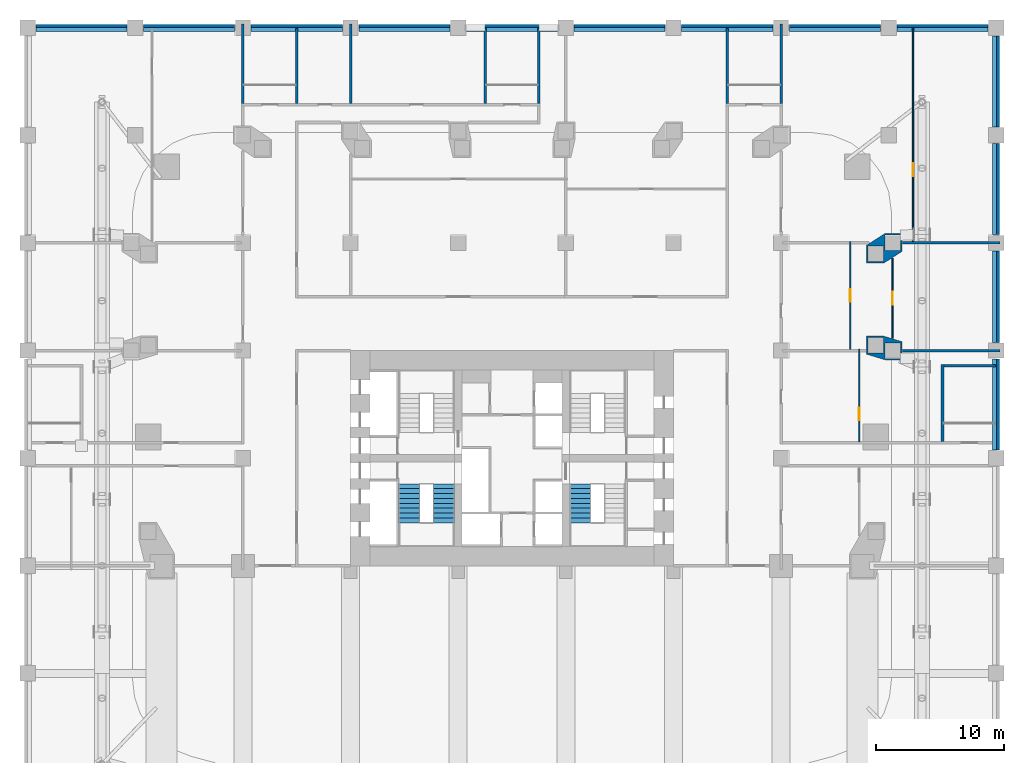
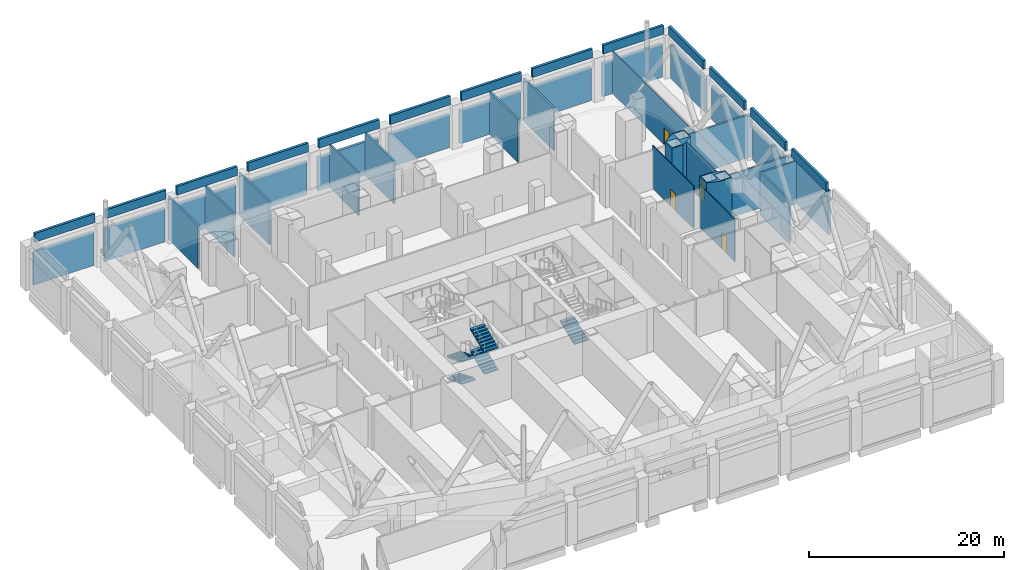
# One storey, part 12 of 17: 43 walls, 5 stair flights, 4 doors, 4 openings, 2 elements without a shape of their own.
"""IFC4 building model written with IfcOpenShell, lengths in metres."""

from ifc_helpers import new_model, si_unit, direction, frame, frame_2d, origin, place, context, subcontext, project, spatial, polyline, rectangle, outline, extrude, material, layer, layer_set, type_object, element, fill, aggregate, save


model = new_model("IFC4")

# Units and contexts
model_context = context("Model", 3, precision=1e-05, world=origin(), true_north=direction((0.0, 1.0)))
body_context = subcontext(model_context, "Body", "Model", "MODEL_VIEW")
ifc_project = project(units=[si_unit("LENGTHUNIT", "METRE"), si_unit("AREAUNIT", "SQUARE_METRE"), si_unit("VOLUMEUNIT", "CUBIC_METRE"), si_unit("PLANEANGLEUNIT", "RADIAN"), si_unit("MASSUNIT", "GRAM", prefix="KILO")], contexts=[model_context])

# Site, building, storey
site_placement = place(None, origin())
site = spatial("IfcSite", under=ifc_project, at=site_placement, CompositionType="ELEMENT")
building_placement = place(site_placement, origin())
building = spatial("IfcBuilding", under=site, at=building_placement, Name="Marenta Gate Hotel Tower", CompositionType="ELEMENT")
storey_placement = place(building_placement, frame((0.0, 0.0, 31.0)))
storey = spatial("IfcBuildingStorey", under=building, at=storey_placement, Name="L05", CompositionType="ELEMENT", Elevation=31.0)

# Walls
ifc_material_1 = material(Name="Concrete C40 board-marked", Category="concrete")
ifc_layer_1 = layer(ifc_material_1, 0.300048828125)
ifc_layer_set_1 = layer_set([ifc_layer_1], Name="Concrete C40 board-marked")
wall_type_1 = type_object("IfcWallType", Name="Board-marked concrete wall 300 mm", PredefinedType="NOTDEFINED", material=ifc_layer_set_1)
wall_1_placement = place(storey_placement, frame((37.889892578125, 9.0400390625, 0.0), z_axis=(0.0, 0.0, 1.0), x_axis=(0.0, 1.0, 0.0)))
element("IfcWall", 1, at=wall_1_placement, inside=storey, type_object=wall_type_1, Name="L05-CLD-P-E004", PredefinedType="NOTDEFINED", context=body_context, shape_type="SweptSolid", body=[
    extrude(rectangle(XDim=7.119873046875, YDim=0.300048828125, at=frame_2d((3.56005859375, 0.0))), origin(), (0.0, 0.0, 1.0), 5.5),
])
wall_2_placement = place(storey_placement, frame((37.889892578125, 17.43994140625, 0.0), z_axis=(0.0, 0.0, 1.0), x_axis=(0.0, 1.0, 0.0)))
element("IfcWall", 2, at=wall_2_placement, inside=storey, type_object=wall_type_1, Name="L05-CLD-P-E005", PredefinedType="NOTDEFINED", context=body_context, shape_type="SweptSolid", body=[
    extrude(rectangle(XDim=7.1201171875, YDim=0.300048828125, at=frame_2d((3.56005859375, 0.0))), origin(), (0.0, 0.0, 1.0), 4.179931640625),
])
wall_3_placement = place(storey_placement, frame((37.889892578125, 25.840087890625, 0.0), z_axis=(0.0, 0.0, 1.0), x_axis=(0.0, 1.0, 0.0)))
element("IfcWall", 3, at=wall_3_placement, inside=storey, type_object=wall_type_1, Name="L05-CLD-P-E006", PredefinedType="NOTDEFINED", context=body_context, shape_type="SweptSolid", body=[
    extrude(rectangle(XDim=7.119873046875, YDim=0.300048828125, at=frame_2d((3.56005859375, 0.0))), origin(), (0.0, 0.0, 1.0), 4.179931640625),
])
wall_4_placement = place(storey_placement, frame((37.889892578125, 34.239990234375, 0.0), z_axis=(0.0, 0.0, 1.0), x_axis=(0.0, 1.0, 0.0)))
element("IfcWall", 4, at=wall_4_placement, inside=storey, type_object=wall_type_1, Name="L05-CLD-P-E007", PredefinedType="NOTDEFINED", context=body_context, shape_type="SweptSolid", body=[
    extrude(rectangle(XDim=7.1201171875, YDim=0.300048828125, at=frame_2d((3.56005859375, 0.0))), origin(), (0.0, 0.0, 1.0), 4.179931640625),
])
wall_5_placement = place(storey_placement, frame((37.159912109375, 42.090087890625, 0.0), z_axis=(0.0, 0.0, 1.0), x_axis=(-1.0, 0.0, 0.0)))
element("IfcWall", 5, at=wall_5_placement, inside=storey, type_object=wall_type_1, Name="L05-CLD-P-N000", PredefinedType="NOTDEFINED", context=body_context, shape_type="SweptSolid", body=[
    extrude(rectangle(XDim=7.119873046875, YDim=0.300048828125, at=frame_2d((3.56005859375, 0.0))), origin(), (0.0, 0.0, 1.0), 4.179931640625),
])
for number, where, z_axis, x_axis, name in (
    (6, (28.760009765625, 42.090087890625, 0.0), (0.0, 0.0, 1.0), (-1.0, 0.0, 0.0), "L05-CLD-P-N001"),
    (7, (20.360107421875, 42.090087890625, 0.0), (0.0, 0.0, 1.0), (-1.0, 0.0, 0.0), "L05-CLD-P-N002"),
):
    element("IfcWall", number, at=place(storey_placement, frame(where, z_axis=z_axis, x_axis=x_axis)), inside=storey, type_object=wall_type_1, Name=name, PredefinedType="NOTDEFINED", context=body_context, shape_type="SweptSolid", body=[
        extrude(rectangle(XDim=7.1201171875, YDim=0.300048828125, at=frame_2d((3.56005859375, 0.0))), origin(), (0.0, 0.0, 1.0), 4.179931640625),
    ])
wall_6_placement = place(storey_placement, frame((11.9599609375, 42.090087890625, 0.0), z_axis=(0.0, 0.0, 1.0), x_axis=(-1.0, 0.0, 0.0)))
element("IfcWall", 8, at=wall_6_placement, inside=storey, type_object=wall_type_1, Name="L05-CLD-P-N003", PredefinedType="NOTDEFINED", context=body_context, shape_type="SweptSolid", body=[
    extrude(rectangle(XDim=7.119873046875, YDim=0.300048828125, at=frame_2d((3.56005859375, 0.0))), origin(), (0.0, 0.0, 1.0), 4.179931640625),
])
wall_7_placement = place(storey_placement, frame((3.56005859375, 42.090087890625, 0.0), z_axis=(0.0, 0.0, 1.0), x_axis=(-1.0, 0.0, 0.0)))
element("IfcWall", 9, at=wall_7_placement, inside=storey, type_object=wall_type_1, Name="L05-CLD-P-N004", PredefinedType="NOTDEFINED", context=body_context, shape_type="SweptSolid", body=[
    extrude(rectangle(XDim=7.1201171875, YDim=0.300048828125, at=frame_2d((3.56005859375, 0.0))), origin(), (0.0, 0.0, 1.0), 4.179931640625),
])
wall_8_placement = place(storey_placement, frame((-4.840087890625, 42.090087890625, 0.0), z_axis=(0.0, 0.0, 1.0), x_axis=(-1.0, 0.0, 0.0)))
element("IfcWall", 10, at=wall_8_placement, inside=storey, type_object=wall_type_1, Name="L05-CLD-P-N005", PredefinedType="NOTDEFINED", context=body_context, shape_type="SweptSolid", body=[
    extrude(rectangle(XDim=7.119873046875, YDim=0.300048828125, at=frame_2d((3.56005859375, 0.0))), origin(), (0.0, 0.0, 1.0), 4.179931640625),
])
for number, where, z_axis, x_axis, name in (
    (11, (-13.239990234375, 42.090087890625, 0.0), (0.0, 0.0, 1.0), (-1.0, 0.0, 0.0), "L05-CLD-P-N006"),
    (12, (-21.639892578125, 42.090087890625, 0.0), (0.0, 0.0, 1.0), (-1.0, 0.0, 0.0), "L05-CLD-P-N007"),
):
    element("IfcWall", number, at=place(storey_placement, frame(where, z_axis=z_axis, x_axis=x_axis)), inside=storey, type_object=wall_type_1, Name=name, PredefinedType="NOTDEFINED", context=body_context, shape_type="SweptSolid", body=[
        extrude(rectangle(XDim=7.1201171875, YDim=0.300048828125, at=frame_2d((3.56005859375, 0.0))), origin(), (0.0, 0.0, 1.0), 4.179931640625),
    ])
wall_9_placement = place(storey_placement, frame((-30.0400390625, 42.090087890625, 0.0), z_axis=(0.0, 0.0, 1.0), x_axis=(-1.0, 0.0, 0.0)))
element("IfcWall", 13, at=wall_9_placement, inside=storey, type_object=wall_type_1, Name="L05-CLD-P-N008", PredefinedType="NOTDEFINED", context=body_context, shape_type="SweptSolid", body=[
    extrude(rectangle(XDim=7.119873046875, YDim=0.300048828125, at=frame_2d((3.56005859375, 0.0))), origin(), (0.0, 0.0, 1.0), 4.179931640625),
])
ifc_material_2 = material(Name="Concrete C40 board-marked", Category="concrete")
ifc_layer_2 = layer(ifc_material_2, 0.300048828125)
ifc_layer_set_2 = layer_set([ifc_layer_2], Name="Concrete C40 board-marked")
wall_type_2 = type_object("IfcWallType", Name="Parapet 300 mm board-marked concrete", PredefinedType="PARAPET", material=ifc_layer_set_2)
wall_10_placement = place(storey_placement, frame((-37.159912109375, 41.85009765625, 5.5), z_axis=(0.0, 0.0, 1.0), x_axis=(1.0, 0.0, 0.0)))
element("IfcWall", 14, at=wall_10_placement, inside=storey, type_object=wall_type_2, Name="L05-PAR-00010", PredefinedType="PARAPET", context=body_context, shape_type="SweptSolid", body=[
    extrude(rectangle(XDim=7.119873046875, YDim=0.300048828125, at=frame_2d((3.56005859375, 0.0))), origin(), (0.0, 0.0, 1.0), 1.10009765625),
])
for number, where, z_axis, x_axis, name in (
    (15, (-28.760009765625, 41.85009765625, 5.5), (0.0, 0.0, 1.0), (1.0, 0.0, 0.0), "L05-PAR-00011"),
    (16, (-20.360107421875, 41.85009765625, 5.5), (0.0, 0.0, 1.0), (1.0, 0.0, 0.0), "L05-PAR-00012"),
):
    element("IfcWall", number, at=place(storey_placement, frame(where, z_axis=z_axis, x_axis=x_axis)), inside=storey, type_object=wall_type_2, Name=name, PredefinedType="PARAPET", context=body_context, shape_type="SweptSolid", body=[
        extrude(rectangle(XDim=7.1201171875, YDim=0.300048828125, at=frame_2d((3.56005859375, 0.0))), origin(), (0.0, 0.0, 1.0), 1.10009765625),
    ])
wall_11_placement = place(storey_placement, frame((-11.9599609375, 41.85009765625, 5.5), z_axis=(0.0, 0.0, 1.0), x_axis=(1.0, 0.0, 0.0)))
element("IfcWall", 17, at=wall_11_placement, inside=storey, type_object=wall_type_2, Name="L05-PAR-00013", PredefinedType="PARAPET", context=body_context, shape_type="SweptSolid", body=[
    extrude(rectangle(XDim=7.119873046875, YDim=0.300048828125, at=frame_2d((3.56005859375, 0.0))), origin(), (0.0, 0.0, 1.0), 1.10009765625),
])
wall_12_placement = place(storey_placement, frame((-3.56005859375, 41.85009765625, 5.5), z_axis=(0.0, 0.0, 1.0), x_axis=(1.0, 0.0, 0.0)))
element("IfcWall", 18, at=wall_12_placement, inside=storey, type_object=wall_type_2, Name="L05-PAR-00014", PredefinedType="PARAPET", context=body_context, shape_type="SweptSolid", body=[
    extrude(rectangle(XDim=7.1201171875, YDim=0.300048828125, at=frame_2d((3.56005859375, 0.0))), origin(), (0.0, 0.0, 1.0), 1.10009765625),
])
wall_13_placement = place(storey_placement, frame((4.840087890625, 41.85009765625, 5.5), z_axis=(0.0, 0.0, 1.0), x_axis=(1.0, 0.0, 0.0)))
element("IfcWall", 19, at=wall_13_placement, inside=storey, type_object=wall_type_2, Name="L05-PAR-00015", PredefinedType="PARAPET", context=body_context, shape_type="SweptSolid", body=[
    extrude(rectangle(XDim=7.119873046875, YDim=0.300048828125, at=frame_2d((3.56005859375, 0.0))), origin(), (0.0, 0.0, 1.0), 1.10009765625),
])
for number, where, z_axis, x_axis, name in (
    (20, (13.239990234375, 41.85009765625, 5.5), (0.0, 0.0, 1.0), (1.0, 0.0, 0.0), "L05-PAR-00016"),
    (21, (21.639892578125, 41.85009765625, 5.5), (0.0, 0.0, 1.0), (1.0, 0.0, 0.0), "L05-PAR-00017"),
):
    element("IfcWall", number, at=place(storey_placement, frame(where, z_axis=z_axis, x_axis=x_axis)), inside=storey, type_object=wall_type_2, Name=name, PredefinedType="PARAPET", context=body_context, shape_type="SweptSolid", body=[
        extrude(rectangle(XDim=7.1201171875, YDim=0.300048828125, at=frame_2d((3.56005859375, 0.0))), origin(), (0.0, 0.0, 1.0), 1.10009765625),
    ])
wall_14_placement = place(storey_placement, frame((30.0400390625, 41.85009765625, 5.5), z_axis=(0.0, 0.0, 1.0), x_axis=(1.0, 0.0, 0.0)))
element("IfcWall", 22, at=wall_14_placement, inside=storey, type_object=wall_type_2, Name="L05-PAR-00018", PredefinedType="PARAPET", context=body_context, shape_type="SweptSolid", body=[
    extrude(rectangle(XDim=7.119873046875, YDim=0.300048828125, at=frame_2d((3.56005859375, 0.0))), origin(), (0.0, 0.0, 1.0), 1.10009765625),
])
wall_15_placement = place(storey_placement, frame((37.64990234375, 41.360107421875, 5.5), z_axis=(0.0, 0.0, 1.0), x_axis=(0.0, -1.0, 0.0)))
element("IfcWall", 23, at=wall_15_placement, inside=storey, type_object=wall_type_2, Name="L05-PAR-00020", PredefinedType="PARAPET", context=body_context, shape_type="SweptSolid", body=[
    extrude(rectangle(XDim=7.1201171875, YDim=0.300048828125, at=frame_2d((3.56005859375, 0.0))), origin(), (0.0, 0.0, 1.0), 1.10009765625),
])
wall_16_placement = place(storey_placement, frame((37.64990234375, 32.9599609375, 5.5), z_axis=(0.0, 0.0, 1.0), x_axis=(0.0, -1.0, 0.0)))
element("IfcWall", 24, at=wall_16_placement, inside=storey, type_object=wall_type_2, Name="L05-PAR-00021", PredefinedType="PARAPET", context=body_context, shape_type="SweptSolid", body=[
    extrude(rectangle(XDim=7.119873046875, YDim=0.300048828125, at=frame_2d((3.56005859375, 0.0))), origin(), (0.0, 0.0, 1.0), 1.10009765625),
])
wall_17_placement = place(storey_placement, frame((37.64990234375, 24.56005859375, 5.5), z_axis=(0.0, 0.0, 1.0), x_axis=(0.0, -1.0, 0.0)))
element("IfcWall", 25, at=wall_17_placement, inside=storey, type_object=wall_type_2, Name="L05-PAR-00022", PredefinedType="PARAPET", context=body_context, shape_type="SweptSolid", body=[
    extrude(rectangle(XDim=7.1201171875, YDim=0.300048828125, at=frame_2d((3.56005859375, 0.0))), origin(), (0.0, 0.0, 1.0), 1.10009765625),
])
wall_18_placement = place(storey_placement, frame((37.64990234375, 16.159912109375, 5.5), z_axis=(0.0, 0.0, 1.0), x_axis=(0.0, -1.0, 0.0)))
element("IfcWall", 26, at=wall_18_placement, inside=storey, type_object=wall_type_2, Name="L05-PAR-00023", PredefinedType="PARAPET", context=body_context, shape_type="SweptSolid", body=[
    extrude(rectangle(XDim=7.119873046875, YDim=0.300048828125, at=frame_2d((3.56005859375, 0.0))), origin(), (0.0, 0.0, 1.0), 1.10009765625),
])
ifc_material_3 = material(Name="Concrete C70", Category="concrete")
ifc_layer_3 = layer(ifc_material_3, 1.60009765625)
ifc_layer_set_3 = layer_set([ifc_layer_3], Name="Concrete C70")
wall_type_3 = type_object("IfcWallType", Name="Pier wall board-marked concrete C70", PredefinedType="SOLIDWALL", material=ifc_layer_set_3)
wall_19_placement = place(storey_placement, origin())
element("IfcWall", 27, at=wall_19_placement, inside=storey, type_object=wall_type_3, Name="L05-PIER-10", PredefinedType="SOLIDWALL", context=body_context, shape_type="SweptSolid", body=[
    extrude(outline(polyline([(27.679931640625, 25.022216796875), (29.0849609375, 25.919921875), (30.43994140625, 25.919921875), (30.43994140625, 24.5341796875), (29.03515625, 23.636474609375), (27.679931640625, 23.636474609375), (27.679931640625, 25.022216796875)]), holes=[polyline([(29.1201171875, 24.60009765625), (30.320068359375, 24.60009765625), (30.320068359375, 25.800048828125), (29.1201171875, 25.800048828125), (29.1201171875, 24.60009765625)]), polyline([(27.800048828125, 23.75634765625), (29.0, 23.75634765625), (29.0, 24.956298828125), (27.800048828125, 24.956298828125), (27.800048828125, 23.75634765625)])]), origin(), (0.0, 0.0, 1.0), 5.5),
])
wall_20_placement = place(storey_placement, origin())
element("IfcWall", 28, at=wall_20_placement, inside=storey, type_object=wall_type_3, Name="L05-PIER-11", PredefinedType="SOLIDWALL", context=body_context, shape_type="SweptSolid", body=[
    extrude(outline(polyline([(27.679931640625, 16.514404296875), (27.679931640625, 17.923095703125), (29.017822265625, 17.923095703125), (30.43994140625, 17.48876953125), (30.43994140625, 16.080078125), (29.10205078125, 16.080078125), (27.679931640625, 16.514404296875)]), holes=[polyline([(29.1201171875, 16.199951171875), (30.320068359375, 16.199951171875), (30.320068359375, 17.39990234375), (29.1201171875, 17.39990234375), (29.1201171875, 16.199951171875)]), polyline([(27.800048828125, 16.603271484375), (29.0, 16.603271484375), (29.0, 17.80322265625), (27.800048828125, 17.80322265625), (27.800048828125, 16.603271484375)])]), origin(), (0.0, 0.0, 1.0), 5.5),
])

# Wall, opening, door
ifc_material_4 = material(Name="Gypsum board on steel stud", Category="steel")
ifc_layer_4 = layer(ifc_material_4, 0.10009765625)
ifc_layer_set_4 = layer_set([ifc_layer_4], Name="Gypsum board on steel stud")
wall_type_4 = type_object("IfcWallType", Name="Room partition 100", PredefinedType="PARTITIONING", material=ifc_layer_set_4)
wall_21_placement = place(storey_placement, frame((31.300048828125, 25.300048828125, 0.0), z_axis=(0.0, 0.0, 1.0), x_axis=(0.0, 1.0, 0.0)))
wall_21 = element("IfcWall", 29, at=wall_21_placement, inside=storey, type_object=wall_type_4, Name="L05-PTN-W006", PredefinedType="PARTITIONING", context=body_context, shape_type="SweptSolid", body=[
    extrude(rectangle(XDim=16.639892578125, YDim=0.10009765625, at=frame_2d((8.31982421875, 0.0))), origin(), (0.0, 0.0, 1.0), 5.35009765625),
])
opening_1_placement = place(wall_21_placement, frame((5.10009765625, 0.0, 0.0)))
opening_1 = element("IfcOpeningElement", 30, at=opening_1_placement, cuts=wall_21, Name="Opening S06-17", PredefinedType="OPENING", context=body_context, shape_type="SweptSolid", body=[
    extrude(rectangle(XDim=1.0, YDim=2.10009765625, at=frame_2d((0.5, 1.050048828125))), frame((0.0, 0.050048828125, 0.0), z_axis=(0.0, -1.0, 0.0), x_axis=(1.0, 0.0, 0.0)), (0.0, 0.0, 1.0), 0.10009765625),
])
ifc_material_5 = material(Name="Hollow steel door set", Category="steel")
door_type_1 = type_object("IfcDoorType", Name="Plant room door 1000x2100", OperationType="NOTDEFINED", PredefinedType="DOOR", material=ifc_material_5)
door_1_placement = place(opening_1_placement, origin())
door_1 = element("IfcDoor", 31, at=door_1_placement, inside=storey, type_object=door_type_1, Name="L05-PD-D017", OperationType="SINGLE_SWING_LEFT", OverallHeight=2.10009765625, OverallWidth=1.0, PredefinedType="DOOR", context=body_context, shape_type="SweptSolid", body=[
    extrude(rectangle(XDim=1.0, YDim=2.10009765625, at=frame_2d((0.5, 1.050048828125))), frame((0.0, 0.02490234375, 0.0), z_axis=(0.0, -1.0, 0.0), x_axis=(1.0, 0.0, 0.0)), (0.0, 0.0, 1.0), 0.050048828125),
])
fill(opening_1, door_1)

wall_22_placement = place(storey_placement, frame((29.699951171875, 17.76708984375, 0.0), z_axis=(0.0, 0.0, 1.0), x_axis=(0.0, 1.0, 0.0)))
wall_22 = element("IfcWall", 32, at=wall_22_placement, inside=storey, type_object=wall_type_4, Name="L05-PTN-W007", PredefinedType="PARTITIONING", context=body_context, shape_type="SweptSolid", body=[
    extrude(rectangle(XDim=6.23486328125, YDim=0.10009765625, at=frame_2d((3.117431640625, 0.0))), origin(), (0.0, 0.0, 1.0), 5.35009765625),
])
opening_2_placement = place(wall_22_placement, frame((2.617919921875, 0.0, 0.0)))
opening_2 = element("IfcOpeningElement", 33, at=opening_2_placement, cuts=wall_22, Name="Opening S06-15", PredefinedType="OPENING", context=body_context, shape_type="SweptSolid", body=[
    extrude(rectangle(XDim=1.0, YDim=2.10009765625, at=frame_2d((0.5, 1.050048828125))), frame((0.0, 0.050048828125, 0.0), z_axis=(0.0, -1.0, 0.0), x_axis=(1.0, 0.0, 0.0)), (0.0, 0.0, 1.0), 0.10009765625),
])
ifc_material_6 = material(Name="Hollow steel door set", Category="steel")
door_type_2 = type_object("IfcDoorType", Name="Room service door 1000x2100", OperationType="NOTDEFINED", PredefinedType="DOOR", material=ifc_material_6)
door_2_placement = place(opening_2_placement, origin())
door_2 = element("IfcDoor", 34, at=door_2_placement, inside=storey, type_object=door_type_2, Name="L05-PD-D015", OperationType="SINGLE_SWING_LEFT", OverallHeight=2.10009765625, OverallWidth=1.0, PredefinedType="DOOR", context=body_context, shape_type="SweptSolid", body=[
    extrude(rectangle(XDim=1.0, YDim=2.10009765625, at=frame_2d((0.5, 1.050048828125))), frame((0.0, 0.02490234375, 0.0), z_axis=(0.0, -1.0, 0.0), x_axis=(1.0, 0.0, 0.0)), (0.0, 0.0, 1.0), 0.050048828125),
])
fill(opening_2, door_2)

wall_23_placement = place(storey_placement, frame((27.10009765625, 9.699951171875, 0.0), z_axis=(0.0, 0.0, 1.0), x_axis=(0.0, 1.0, 0.0)))
wall_23 = element("IfcWall", 35, at=wall_23_placement, inside=storey, type_object=wall_type_4, Name="L05-PTN-W009", PredefinedType="PARTITIONING", context=body_context, shape_type="SweptSolid", body=[
    extrude(rectangle(XDim=7.199951171875, YDim=0.10009765625, at=frame_2d((3.60009765625, 0.0))), origin(), (0.0, 0.0, 1.0), 5.35009765625),
])
opening_3_placement = place(wall_23_placement, frame((1.64990234375, 0.0, 0.0)))
opening_3 = element("IfcOpeningElement", 36, at=opening_3_placement, cuts=wall_23, Name="Opening S06-11", PredefinedType="OPENING", context=body_context, shape_type="SweptSolid", body=[
    extrude(rectangle(XDim=1.0, YDim=2.10009765625, at=frame_2d((0.5, 1.050048828125))), frame((0.0, 0.050048828125, 0.0), z_axis=(0.0, -1.0, 0.0), x_axis=(1.0, 0.0, 0.0)), (0.0, 0.0, 1.0), 0.10009765625),
])
door_3_placement = place(opening_3_placement, origin())
door_3 = element("IfcDoor", 37, at=door_3_placement, inside=storey, type_object=door_type_2, Name="L05-PD-D011", OperationType="SINGLE_SWING_RIGHT", OverallHeight=2.10009765625, OverallWidth=1.0, PredefinedType="DOOR", context=body_context, shape_type="SweptSolid", body=[
    extrude(rectangle(XDim=1.0, YDim=2.10009765625, at=frame_2d((0.5, 1.050048828125))), frame((0.0, 0.02490234375, 0.0), z_axis=(0.0, -1.0, 0.0), x_axis=(1.0, 0.0, 0.0)), (0.0, 0.0, 1.0), 0.050048828125),
])
fill(opening_3, door_3)

wall_24_placement = place(storey_placement, frame((26.39990234375, 16.89990234375, 0.0), z_axis=(0.0, 0.0, 1.0), x_axis=(0.0, 1.0, 0.0)))
wall_24 = element("IfcWall", 38, at=wall_24_placement, inside=storey, type_object=wall_type_4, Name="L05-PTN-W010", PredefinedType="PARTITIONING", context=body_context, shape_type="SweptSolid", body=[
    extrude(rectangle(XDim=8.400146484375, YDim=0.10009765625, at=frame_2d((4.2001953125, 0.0))), origin(), (0.0, 0.0, 1.0), 5.35009765625),
])
opening_4_placement = place(wall_24_placement, frame((3.699951171875, 0.0, 0.0)))
opening_4 = element("IfcOpeningElement", 39, at=opening_4_placement, cuts=wall_24, Name="Opening S06-14", PredefinedType="OPENING", context=body_context, shape_type="SweptSolid", body=[
    extrude(rectangle(XDim=1.0, YDim=2.10009765625, at=frame_2d((0.5, 1.050048828125))), frame((0.0, 0.050048828125, 0.0), z_axis=(0.0, -1.0, 0.0), x_axis=(1.0, 0.0, 0.0)), (0.0, 0.0, 1.0), 0.10009765625),
])
ifc_material_7 = material(Name="Timber door leaf", Category="wood")
door_type_3 = type_object("IfcDoorType", Name="Room inner door 1000x2100", OperationType="NOTDEFINED", PredefinedType="DOOR", material=ifc_material_7)
door_4_placement = place(opening_4_placement, origin())
door_4 = element("IfcDoor", 40, at=door_4_placement, inside=storey, type_object=door_type_3, Name="L05-PD-D014", OperationType="SINGLE_SWING_LEFT", OverallHeight=2.10009765625, OverallWidth=1.0, PredefinedType="DOOR", context=body_context, shape_type="SweptSolid", body=[
    extrude(rectangle(XDim=1.0, YDim=2.10009765625, at=frame_2d((0.5, 1.050048828125))), frame((0.0, 0.02490234375, 0.0), z_axis=(0.0, -1.0, 0.0), x_axis=(1.0, 0.0, 0.0)), (0.0, 0.0, 1.0), 0.050048828125),
])
fill(opening_4, door_4)

# Walls
ifc_material_8 = material(Name="Concrete blockwork", Category="masonry")
ifc_layer_5 = layer(ifc_material_8, 0.199951171875)
ifc_layer_set_5 = layer_set([ifc_layer_5], Name="Concrete blockwork")
wall_type_5 = type_object("IfcWallType", Name="Room party wall 200 EI 120", PredefinedType="PARTITIONING", material=ifc_layer_set_5)
wall_25_placement = place(storey_placement, frame((30.489990234375, 16.800048828125, 0.0), z_axis=(0.0, 0.0, 1.0), x_axis=(1.0, 0.0, 0.0)))
element("IfcWall", 41, at=wall_25_placement, inside=storey, type_object=wall_type_5, Name="L05-PTN-W046", PredefinedType="PARTITIONING", context=body_context, shape_type="SweptSolid", body=[
    extrude(rectangle(XDim=7.610107421875, YDim=0.199951171875, at=frame_2d((3.80517578125, 0.0))), origin(), (0.0, 0.0, 1.0), 5.35009765625),
])
ifc_material_9 = material(Name="Gypsum board on steel stud", Category="steel")
ifc_layer_6 = layer(ifc_material_9, 0.199951171875)
ifc_layer_set_6 = layer_set([ifc_layer_6], Name="Gypsum board on steel stud")
wall_type_6 = type_object("IfcWallType", Name="Room party wall 200 EI 60", PredefinedType="PARTITIONING", material=ifc_layer_set_6)
wall_26_placement = place(storey_placement, frame((-12.60009765625, 36.10009765625, 0.0), z_axis=(0.0, 0.0, 1.0), x_axis=(0.0, 1.0, 0.0)))
element("IfcWall", 42, at=wall_26_placement, inside=storey, type_object=wall_type_6, Name="L05-PTN-W038", PredefinedType="PARTITIONING", context=body_context, shape_type="SweptSolid", body=[
    extrude(rectangle(XDim=6.199951171875, YDim=0.199951171875, at=frame_2d((3.10009765625, 0.0))), origin(), (0.0, 0.0, 1.0), 5.35009765625),
])
wall_27_placement = place(storey_placement, frame((30.489990234375, 25.199951171875, 0.0), z_axis=(0.0, 0.0, 1.0), x_axis=(1.0, 0.0, 0.0)))
element("IfcWall", 43, at=wall_27_placement, inside=storey, type_object=wall_type_6, Name="L05-PTN-W056", PredefinedType="PARTITIONING", context=body_context, shape_type="SweptSolid", body=[
    extrude(rectangle(XDim=7.610107421875, YDim=0.199951171875, at=frame_2d((3.80517578125, 0.0))), origin(), (0.0, 0.0, 1.0), 5.35009765625),
])
ifc_material_10 = material(Name="Concrete blockwork", Category="masonry")
ifc_layer_7 = layer(ifc_material_10, 0.199951171875)
ifc_layer_set_7 = layer_set([ifc_layer_7], Name="Concrete blockwork")
wall_type_7 = type_object("IfcWallType", Name="Room party wall 200 REI 180", PredefinedType="PARTITIONING", material=ifc_layer_set_7)
wall_28_placement = place(storey_placement, frame((33.60009765625, 9.699951171875, 0.0), z_axis=(0.0, 0.0, 1.0), x_axis=(0.0, 1.0, 0.0)))
element("IfcWall", 44, at=wall_28_placement, inside=storey, type_object=wall_type_7, Name="L05-PTN-W002", PredefinedType="PARTITIONING", context=body_context, shape_type="SweptSolid", body=[
    extrude(rectangle(XDim=6.0, YDim=0.199951171875, at=frame_2d((3.0, 0.0))), origin(), (0.0, 0.0, 1.0), 5.35009765625),
])
wall_29_placement = place(storey_placement, frame((21.0, 36.10009765625, 0.0), z_axis=(0.0, 0.0, 1.0), x_axis=(0.0, 1.0, 0.0)))
element("IfcWall", 45, at=wall_29_placement, inside=storey, type_object=wall_type_7, Name="L05-PTN-W018", PredefinedType="PARTITIONING", context=body_context, shape_type="SweptSolid", body=[
    extrude(rectangle(XDim=6.199951171875, YDim=0.199951171875, at=frame_2d((3.10009765625, 0.0))), origin(), (0.0, 0.0, 1.0), 5.35009765625),
])
for number, where, z_axis, x_axis, name in (
    (46, (16.800048828125, 36.10009765625, 0.0), (0.0, 0.0, 1.0), (0.0, 1.0, 0.0), "L05-PTN-W023"),
    (47, (2.10009765625, 36.10009765625, 0.0), (0.0, 0.0, 1.0), (0.0, 1.0, 0.0), "L05-PTN-W028"),
    (48, (-2.10009765625, 36.10009765625, 0.0), (0.0, 0.0, 1.0), (0.0, 1.0, 0.0), "L05-PTN-W031"),
):
    element("IfcWall", number, at=place(storey_placement, frame(where, z_axis=z_axis, x_axis=x_axis)), inside=storey, type_object=wall_type_7, Name=name, PredefinedType="PARTITIONING", context=body_context, shape_type="SweptSolid", body=[
        extrude(rectangle(XDim=5.83984375, YDim=0.199951171875, at=frame_2d((2.919921875, 0.0))), origin(), (0.0, 0.0, 1.0), 5.35009765625),
    ])
wall_30_placement = place(storey_placement, frame((33.699951171875, 15.60009765625, 0.0), z_axis=(0.0, 0.0, 1.0), x_axis=(1.0, 0.0, 0.0)))
element("IfcWall", 49, at=wall_30_placement, inside=storey, type_object=wall_type_7, Name="L05-PTN-W040", PredefinedType="PARTITIONING", context=body_context, shape_type="SweptSolid", body=[
    extrude(rectangle(XDim=4.0400390625, YDim=0.199951171875, at=frame_2d((2.02001953125, 0.0))), origin(), (0.0, 0.0, 1.0), 5.35009765625),
])
wall_31_placement = place(storey_placement, frame((-16.800048828125, 36.10009765625, 0.0), z_axis=(0.0, 0.0, 1.0), x_axis=(0.0, 1.0, 0.0)))
element("IfcWall", 50, at=wall_31_placement, inside=storey, type_object=wall_type_7, Name="L05-PTN-W042", PredefinedType="PARTITIONING", context=body_context, shape_type="SweptSolid", body=[
    extrude(rectangle(XDim=5.83984375, YDim=0.199951171875, at=frame_2d((2.919921875, 0.0))), origin(), (0.0, 0.0, 1.0), 5.35009765625),
])
wall_32_placement = place(storey_placement, frame((-21.0, 36.10009765625, 0.0), z_axis=(0.0, 0.0, 1.0), x_axis=(0.0, 1.0, 0.0)))
element("IfcWall", 51, at=wall_32_placement, inside=storey, type_object=wall_type_7, Name="L05-PTN-W050", PredefinedType="PARTITIONING", context=body_context, shape_type="SweptSolid", body=[
    extrude(rectangle(XDim=6.199951171875, YDim=0.199951171875, at=frame_2d((3.10009765625, 0.0))), origin(), (0.0, 0.0, 1.0), 5.35009765625),
])

# Stair, stair flights
ifc_material_11 = material(Name="Concrete C40", Category="concrete")
stair_type = type_object("IfcStairType", Name="Core exit stair 1640 wide", PredefinedType="HALF_TURN_STAIR", material=ifc_material_11)
stair_1_placement = place(storey_placement, origin())
stair_1 = element("IfcStair", 52, at=stair_1_placement, inside=storey, type_object=stair_type, Name="Exit stair 1", PredefinedType="HALF_TURN_STAIR")
ifc_material_12 = material(Name="Concrete C40", Category="concrete")
stair_flight_type = type_object("IfcStairFlightType", Name="Core stair flight 1640 riser 152.8 going 380", PredefinedType="STRAIGHT", material=ifc_material_12)
stair_flight_1_placement = place(storey_placement, frame((-8.030029296875, 6.39990234375, 0.0), z_axis=(0.0, 0.0, 1.0), x_axis=(0.0, -1.0, 0.0)))
stair_flight_1 = element("IfcStairFlight", 53, at=stair_flight_1_placement, type_object=stair_flight_type, Name="ST1 flight 1", NumberOfRisers=9, NumberOfTreads=8, PredefinedType="STRAIGHT", RiserHeight=0.152778, TreadLength=0.38, context=body_context, shape_type="SweptSolid", body=[
    extrude(outline(polyline([(0.0, 0.0), (0.0, 0.15283203125), (0.3798828125, 0.15283203125), (0.3798828125, 0.3056640625), (0.760009765625, 0.3056640625), (0.760009765625, 0.458251953125), (1.139892578125, 0.458251953125), (1.139892578125, 0.611083984375), (1.52001953125, 0.611083984375), (1.52001953125, 0.763916015625), (1.89990234375, 0.763916015625), (1.89990234375, 0.916748046875), (2.280029296875, 0.916748046875), (2.280029296875, 1.0693359375), (2.659912109375, 1.0693359375), (2.659912109375, 1.22216796875), (3.0400390625, 1.22216796875), (3.0400390625, 1.375), (3.0400390625, 1.060546875), (0.40185546875, 0.0), (0.0, 0.0)])), frame((0.0, 0.81982421875, 0.0), z_axis=(0.0, -1.0, 0.0), x_axis=(1.0, 0.0, 0.0)), (0.0, 0.0, 1.0), 1.639892578125),
])
stair_flight_2_placement = place(storey_placement, frame((-5.320068359375, 3.360107421875, 1.375), z_axis=(0.0, 0.0, 1.0), x_axis=(0.0, 1.0, 0.0)))
stair_flight_2 = element("IfcStairFlight", 54, at=stair_flight_2_placement, type_object=stair_flight_type, Name="ST1 flight 2", NumberOfRisers=9, NumberOfTreads=8, PredefinedType="STRAIGHT", RiserHeight=0.152778, TreadLength=0.38, context=body_context, shape_type="SweptSolid", body=[
    extrude(outline(polyline([(0.0, 0.0), (0.0, 0.15283203125), (0.3798828125, 0.15283203125), (0.3798828125, 0.3056640625), (0.760009765625, 0.3056640625), (0.760009765625, 0.458251953125), (1.139892578125, 0.458251953125), (1.139892578125, 0.611083984375), (1.52001953125, 0.611083984375), (1.52001953125, 0.763916015625), (1.89990234375, 0.763916015625), (1.89990234375, 0.916748046875), (2.280029296875, 0.916748046875), (2.280029296875, 1.0693359375), (2.659912109375, 1.0693359375), (2.659912109375, 1.22216796875), (3.0400390625, 1.22216796875), (3.0400390625, 1.375), (3.0400390625, 1.060546875), (0.40185546875, 0.0), (0.0, 0.0)])), frame((0.0, 0.81982421875, 0.0), z_axis=(0.0, -1.0, 0.0), x_axis=(1.0, 0.0, 0.0)), (0.0, 0.0, 1.0), 1.639892578125),
])
stair_flight_3_placement = place(storey_placement, frame((-8.030029296875, 6.39990234375, 2.75), z_axis=(0.0, 0.0, 1.0), x_axis=(0.0, -1.0, 0.0)))
stair_flight_3 = element("IfcStairFlight", 55, at=stair_flight_3_placement, type_object=stair_flight_type, Name="ST1 flight 3", NumberOfRisers=9, NumberOfTreads=8, PredefinedType="STRAIGHT", RiserHeight=0.152778, TreadLength=0.38, context=body_context, shape_type="SweptSolid", body=[
    extrude(outline(polyline([(0.0, 0.0), (0.0, 0.15283203125), (0.3798828125, 0.15283203125), (0.3798828125, 0.3056640625), (0.760009765625, 0.3056640625), (0.760009765625, 0.458251953125), (1.139892578125, 0.458251953125), (1.139892578125, 0.611083984375), (1.52001953125, 0.611083984375), (1.52001953125, 0.763916015625), (1.89990234375, 0.763916015625), (1.89990234375, 0.916748046875), (2.280029296875, 0.916748046875), (2.280029296875, 1.0693359375), (2.659912109375, 1.0693359375), (2.659912109375, 1.22216796875), (3.0400390625, 1.22216796875), (3.0400390625, 1.375), (3.0400390625, 1.060546875), (0.40185546875, 0.0), (0.0, 0.0)])), frame((0.0, 0.81982421875, 0.0), z_axis=(0.0, -1.0, 0.0), x_axis=(1.0, 0.0, 0.0)), (0.0, 0.0, 1.0), 1.639892578125),
])
stair_flight_4_placement = place(storey_placement, frame((-5.320068359375, 3.360107421875, 4.125), z_axis=(0.0, 0.0, 1.0), x_axis=(0.0, 1.0, 0.0)))
stair_flight_4 = element("IfcStairFlight", 56, at=stair_flight_4_placement, type_object=stair_flight_type, Name="ST1 flight 4", NumberOfRisers=9, NumberOfTreads=8, PredefinedType="STRAIGHT", RiserHeight=0.152778, TreadLength=0.38, context=body_context, shape_type="SweptSolid", body=[
    extrude(outline(polyline([(0.0, 0.0), (0.0, 0.15283203125), (0.3798828125, 0.15283203125), (0.3798828125, 0.3056640625), (0.760009765625, 0.3056640625), (0.760009765625, 0.458251953125), (1.139892578125, 0.458251953125), (1.139892578125, 0.611083984375), (1.52001953125, 0.611083984375), (1.52001953125, 0.763916015625), (1.89990234375, 0.763916015625), (1.89990234375, 0.916748046875), (2.280029296875, 0.916748046875), (2.280029296875, 1.0693359375), (2.659912109375, 1.0693359375), (2.659912109375, 1.22216796875), (3.0400390625, 1.22216796875), (3.0400390625, 1.375), (3.0400390625, 1.060546875), (0.40185546875, 0.0), (0.0, 0.0)])), frame((0.0, 0.81982421875, 0.0), z_axis=(0.0, -1.0, 0.0), x_axis=(1.0, 0.0, 0.0)), (0.0, 0.0, 1.0), 1.639892578125),
])
aggregate(stair_1, [stair_flight_1, stair_flight_2, stair_flight_3, stair_flight_4])

# Stair, stair flight
stair_2_placement = place(storey_placement, origin())
stair_2 = element("IfcStair", 57, at=stair_2_placement, inside=storey, type_object=stair_type, Name="Exit stair 3", PredefinedType="HALF_TURN_STAIR")
stair_flight_5_placement = place(storey_placement, frame((5.320068359375, 3.360107421875, 1.375), z_axis=(0.0, 0.0, 1.0), x_axis=(0.0, 1.0, 0.0)))
stair_flight_5 = element("IfcStairFlight", 58, at=stair_flight_5_placement, type_object=stair_flight_type, Name="ST3 flight 2", NumberOfRisers=9, NumberOfTreads=8, PredefinedType="STRAIGHT", RiserHeight=0.152778, TreadLength=0.38, context=body_context, shape_type="SweptSolid", body=[
    extrude(outline(polyline([(0.0, 0.0), (0.0, 0.15283203125), (0.3798828125, 0.15283203125), (0.3798828125, 0.3056640625), (0.760009765625, 0.3056640625), (0.760009765625, 0.458251953125), (1.139892578125, 0.458251953125), (1.139892578125, 0.611083984375), (1.52001953125, 0.611083984375), (1.52001953125, 0.763916015625), (1.89990234375, 0.763916015625), (1.89990234375, 0.916748046875), (2.280029296875, 0.916748046875), (2.280029296875, 1.0693359375), (2.659912109375, 1.0693359375), (2.659912109375, 1.22216796875), (3.0400390625, 1.22216796875), (3.0400390625, 1.375), (3.0400390625, 1.060546875), (0.40185546875, 0.0), (0.0, 0.0)])), frame((0.0, 0.81982421875, 0.0), z_axis=(0.0, -1.0, 0.0), x_axis=(1.0, 0.0, 0.0)), (0.0, 0.0, 1.0), 1.639892578125),
])
aggregate(stair_2, [stair_flight_5])

save(model, "model.ifc")
